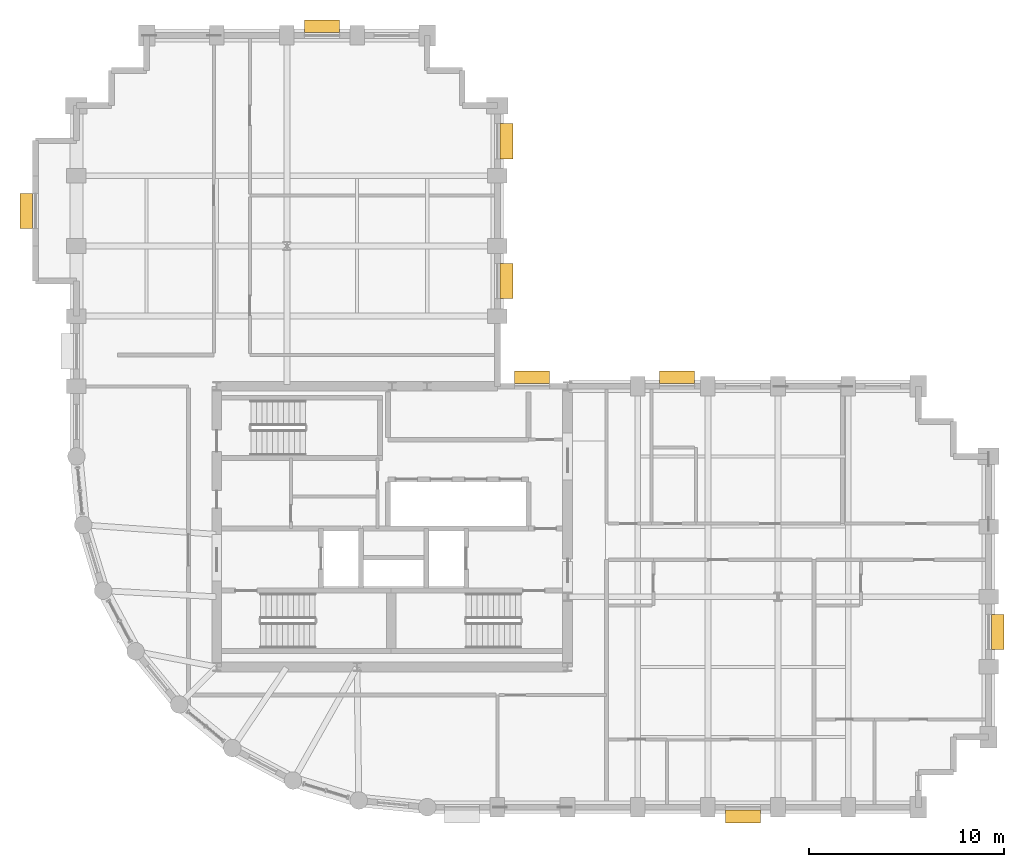
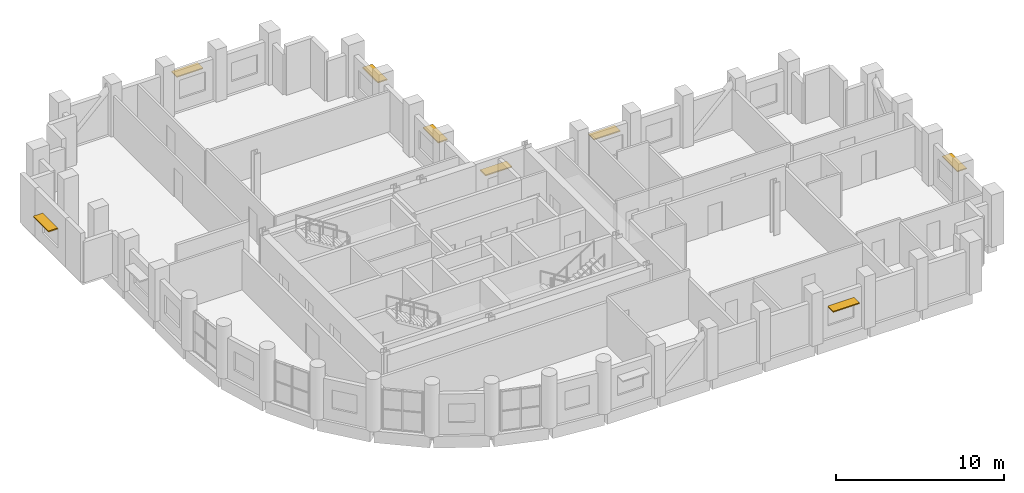
# One storey, part 14 of 14: 8 shading devices.
"""IFC4 building model written with IfcOpenShell, lengths in metres."""

from ifc_helpers import new_model, si_unit, direction, frame, origin, origin_2d, place, context, subcontext, project, spatial, rectangle, extrude, material, layer, layer_set, type_object, element, save


model = new_model("IFC4")

# Units and contexts
model_context = context("Model", 3, precision=1e-05, world=origin(), true_north=direction((0.0, 1.0)))
body_context = subcontext(model_context, "Body", "Model", "MODEL_VIEW")
ifc_project = project(units=[si_unit("LENGTHUNIT", "METRE"), si_unit("AREAUNIT", "SQUARE_METRE"), si_unit("VOLUMEUNIT", "CUBIC_METRE"), si_unit("PLANEANGLEUNIT", "RADIAN"), si_unit("MASSUNIT", "GRAM", prefix="KILO")], contexts=[model_context])

# Site, building, storey
site_placement = place(None, origin())
site = spatial("IfcSite", under=ifc_project, at=site_placement, CompositionType="ELEMENT")
building_placement = place(site_placement, origin())
building = spatial("IfcBuilding", under=site, at=building_placement, Name="Solnavia Interchange Tower", CompositionType="ELEMENT")
storey_placement = place(building_placement, frame((0.0, 0.0, 158.0)))
storey = spatial("IfcBuildingStorey", under=building, at=storey_placement, Name="L39", CompositionType="ELEMENT", Elevation=158.0)

# Shading devices
ifc_material = material(Name="Anodised Aluminium Sunshade", Category="aluminium")
ifc_layer = layer(ifc_material, 0.080078125)
ifc_layer_set = layer_set([ifc_layer], Name="Anodised Aluminium Sunshade")
shading_device_type = type_object("IfcShadingDeviceType", Name="Sunshade-Band-650", PredefinedType="SHUTTER", material=ifc_layer_set)
for number, where, z_axis, x_axis, name in (
    (1, (41.39990234375, 3.1298828125, 2.219970703125), (0.0, 0.0, 1.0), (-1.0, 0.0, 0.0), "SHD-L39-05 Horizontal sunshade band"),
    (2, (54.469970703125, 12.60009765625, 2.219970703125), (0.0, 0.0, 1.0), (0.0, -1.0, 0.0), "SHD-L39-13 Horizontal sunshade band"),
    (3, (38.02001953125, 25.669921875, 2.219970703125), (0.0, 0.0, 1.0), (1.0, 0.0, 0.0), "SHD-L39-23 Horizontal sunshade band"),
    (4, (30.583984375, 25.669921875, 2.219970703125), (0.0, 0.0, 1.0), (1.0, 0.0, 0.0), "SHD-L39-25 Horizontal sunshade band"),
    (5, (29.27001953125, 30.60009765625, 2.219970703125), (0.0, 0.0, 1.0), (0.0, -1.0, 0.0), "SHD-L39-27 Horizontal sunshade band"),
    (6, (29.27001953125, 37.77490234375, 2.219970703125), (0.0, 0.0, 1.0), (0.0, -1.0, 0.0), "SHD-L39-29 Horizontal sunshade band"),
    (7, (19.800048828125, 43.669921875, 2.219970703125), (0.0, 0.0, 1.0), (1.0, 0.0, 0.0), "SHD-L39-35 Horizontal sunshade band"),
    (8, (4.6298828125, 34.199951171875, 2.219970703125), (0.0, 0.0, 1.0), (0.0, 1.0, 0.0), "SHD-L39-45 Horizontal sunshade band"),
):
    element("IfcShadingDevice", number, at=place(storey_placement, frame(where, z_axis=z_axis, x_axis=x_axis)), inside=storey, type_object=shading_device_type, Name=name, PredefinedType="SHUTTER", context=body_context, shape_type="SweptSolid", body=[
        extrude(rectangle(XDim=1.800048828125, YDim=0.64990234375, at=origin_2d()), origin(), (0.0, 0.0, 1.0), 0.080078125),
    ])

save(model, "model.ifc")
